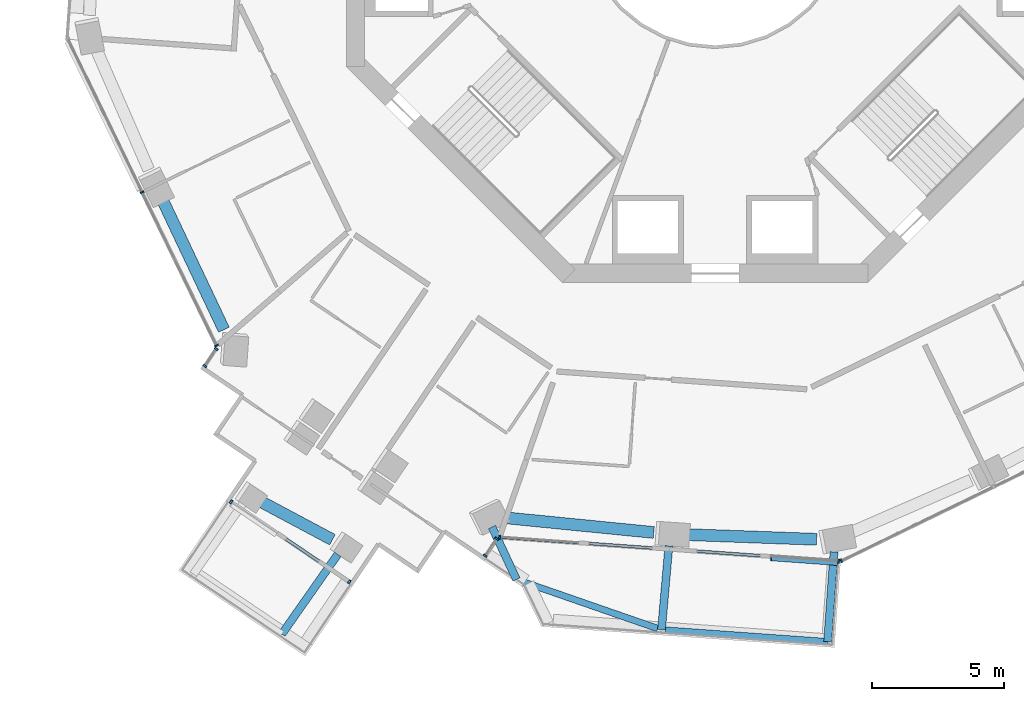
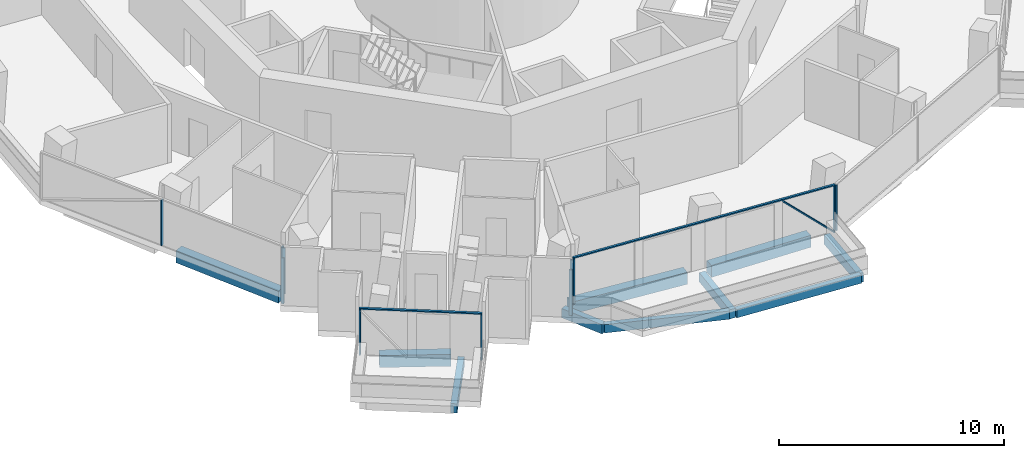
# One storey, part 2 of 22: 14 members, 10 beams, 6 elements without a shape of their own.
"""IFC4 building model written with IfcOpenShell, lengths in metres."""

from ifc_helpers import new_model, si_unit, direction, frame, origin, origin_2d, place, context, subcontext, project, spatial, rectangle, extrude, material, layer, layer_set, material_profile, profile_set, type_object, element, aggregate, save


model = new_model("IFC4")

# Units and contexts
model_context = context("Model", 3, precision=1e-05, world=origin(), true_north=direction((0.0, 1.0)))
body_context = subcontext(model_context, "Body", "Model", "MODEL_VIEW")
ifc_project = project(units=[si_unit("LENGTHUNIT", "METRE"), si_unit("AREAUNIT", "SQUARE_METRE"), si_unit("VOLUMEUNIT", "CUBIC_METRE"), si_unit("PLANEANGLEUNIT", "RADIAN"), si_unit("MASSUNIT", "GRAM", prefix="KILO")], contexts=[model_context])

# Site, building, storey
site_placement = place(None, origin())
site = spatial("IfcSite", under=ifc_project, at=site_placement, CompositionType="ELEMENT")
building_placement = place(site_placement, origin())
building = spatial("IfcBuilding", under=site, at=building_placement, Name="Verdalira Terraces Hotel", CompositionType="ELEMENT")
storey_placement = place(building_placement, frame((0.0, 0.0, 140.0)))
storey = spatial("IfcBuildingStorey", under=building, at=storey_placement, Name="L33", CompositionType="ELEMENT", Elevation=140.0)

# Beams
ifc_material_1 = material(Name="Concrete C40", Category="concrete")
ifc_material_profile_1 = material_profile(ifc_material_1, rectangle(XDim=0.300049, YDim=0.5, at=origin_2d()), Name="RC 300X500")
ifc_profile_set_1 = profile_set([ifc_material_profile_1], Name="Concrete C40")
beam_type_1 = type_object("IfcBeamType", Name="Balcony cantilever beam RC 300X500 C40", PredefinedType="BEAM", material=ifc_profile_set_1)
beam_1_placement = place(storey_placement, frame((-14.325928, -24.319824, -0.560059), z_axis=(-0.574159608, -0.818743393, 0.0), x_axis=(0.818743393, -0.574159608, 0.0)))
element("IfcBeam", 1, at=beam_1_placement, inside=storey, type_object=beam_type_1, Name="Balcony cantilever beam R19-2", PredefinedType="BEAM", context=body_context, shape_type="SweptSolid", body=[
    extrude(rectangle(XDim=0.300049, YDim=0.5, at=origin_2d()), origin(), (0.0, 0.0, 1.0), 3.688232),
])
beam_2_placement = place(storey_placement, frame((-8.467285, -23.277588, -0.560059), z_axis=(0.421894238, -0.906645053, 0.0), x_axis=(0.906645053, 0.421894238, 0.0)))
element("IfcBeam", 2, at=beam_2_placement, inside=storey, type_object=beam_type_1, Name="Balcony cantilever beam R24-1", PredefinedType="BEAM", context=body_context, shape_type="SweptSolid", body=[
    extrude(rectangle(XDim=0.300049, YDim=0.5, at=origin_2d()), origin(), (0.0, 0.0, 1.0), 2.198486),
])
beam_3_placement = place(storey_placement, frame((-1.75415, -23.993896, -0.560059), z_axis=(-0.087867098, -0.996132207, 0.0), x_axis=(0.996132207, -0.087867098, 0.0)))
element("IfcBeam", 3, at=beam_3_placement, inside=storey, type_object=beam_type_1, Name="Balcony cantilever beam R24-2", PredefinedType="BEAM", context=body_context, shape_type="SweptSolid", body=[
    extrude(rectangle(XDim=0.300049, YDim=0.5, at=origin_2d()), origin(), (0.0, 0.0, 1.0), 3.200928),
])
beam_4_placement = place(storey_placement, frame((4.514648, -24.223877, -0.560059), z_axis=(-0.071160734, -0.997464862, 0.0), x_axis=(0.997464862, -0.071160734, 0.0)))
element("IfcBeam", 4, at=beam_4_placement, inside=storey, type_object=beam_type_1, Name="Balcony cantilever beam R24-3", PredefinedType="BEAM", context=body_context, shape_type="SweptSolid", body=[
    extrude(rectangle(XDim=0.300049, YDim=0.5, at=origin_2d()), origin(), (0.0, 0.0, 1.0), 3.416992),
])
ifc_material_2 = material(Name="Concrete C40", Category="concrete")
ifc_material_profile_2 = material_profile(ifc_material_2, rectangle(XDim=0.25, YDim=0.449951, at=origin_2d()), Name="RC 250X450")
ifc_profile_set_2 = profile_set([ifc_material_profile_2], Name="Concrete C40")
beam_type_2 = type_object("IfcBeamType", Name="Balcony edge beam RC 250X450 C40", PredefinedType="BEAM", material=ifc_profile_set_2)
beam_5_placement = place(storey_placement, frame((-7.539795, -25.270752, -0.534912), z_axis=(0.944658104, -0.3280565, 0.0), x_axis=(0.3280565, 0.944658104, 0.0)))
element("IfcBeam", 5, at=beam_5_placement, inside=storey, type_object=beam_type_2, Name="Balcony edge beam R24-1", PredefinedType="BEAM", context=body_context, shape_type="SweptSolid", body=[
    extrude(rectangle(XDim=0.25, YDim=0.449951, at=origin_2d()), origin(), (0.0, 0.0, 1.0), 5.672363),
])
beam_6_placement = place(storey_placement, frame((-1.885742, -27.193115, -0.534912), z_axis=(0.997465521, -0.071151486, 0.0), x_axis=(0.071151486, 0.997465521, 0.0)))
element("IfcBeam", 6, at=beam_6_placement, inside=storey, type_object=beam_type_2, Name="Balcony edge beam R24-2", PredefinedType="BEAM", context=body_context, shape_type="SweptSolid", body=[
    extrude(rectangle(XDim=0.25, YDim=0.449951, at=origin_2d()), origin(), (0.0, 0.0, 1.0), 6.172852),
])

# Curtain wall, members
ifc_material_3 = material(Name="Clear glass", Category="glass")
ifc_layer_1 = layer(ifc_material_3, 0.14990234375)
ifc_layer_set_1 = layer_set([ifc_layer_1], Name="CW1 curtain wall")
curtain_wall_type_1 = type_object("IfcCurtainWallType", Name="CW1 curtain wall", PredefinedType="NOTDEFINED", material=ifc_layer_set_1)
curtain_wall_1_placement = place(storey_placement, origin())
curtain_wall_1 = element("IfcCurtainWall", 7, at=curtain_wall_1_placement, inside=storey, type_object=curtain_wall_type_1, Name="CW1 curtain wall L33 edge 13", PredefinedType="NOTDEFINED")
ifc_material_4 = material(Name="Terracotta frame", Category="masonry")
ifc_material_profile_3 = material_profile(ifc_material_4, rectangle(XDim=0.060059, YDim=0.149902, at=origin_2d()), Name="MU 60x150")
ifc_profile_set_3 = profile_set([ifc_material_profile_3], Name="Terracotta frame")
member_type_1 = type_object("IfcMemberType", Name="CW1 mullion 60x150", PredefinedType="MULLION", material=ifc_profile_set_3)
member_1_placement = place(storey_placement, frame((-21.750732, -10.570801, 0.0), z_axis=(0.0, 0.0, 1.0), x_axis=(0.437115767, -0.899405252, 0.0)))
member_1 = element("IfcMember", 8, at=member_1_placement, type_object=member_type_1, Name="CW1 mullion", PredefinedType="MULLION", context=body_context, shape_type="SweptSolid", body=[
    extrude(rectangle(XDim=0.060059, YDim=0.149902, at=origin_2d()), origin(), (0.0, 0.0, 1.0), 2.475098),
])
member_2_placement = place(storey_placement, frame((-18.922363, -16.390137, 0.0), z_axis=(0.0, 0.0, 1.0), x_axis=(0.437115767, -0.899405252, 0.0)))
member_2 = element("IfcMember", 9, at=member_2_placement, type_object=member_type_1, Name="CW1 mullion", PredefinedType="MULLION", context=body_context, shape_type="SweptSolid", body=[
    extrude(rectangle(XDim=0.060059, YDim=0.149902, at=origin_2d()), origin(), (0.0, 0.0, 1.0), 2.475098),
])
aggregate(curtain_wall_1, [member_1, member_2])

curtain_wall_2_placement = place(storey_placement, origin())
curtain_wall_2 = element("IfcCurtainWall", 10, at=curtain_wall_2_placement, inside=storey, type_object=curtain_wall_type_1, Name="CW1 curtain wall L33 edge 25", PredefinedType="NOTDEFINED")
member_3_placement = place(storey_placement, frame((-8.174316, -23.661621, 0.0), z_axis=(0.0, 0.0, 1.0), x_axis=(0.997465679, -0.071149267, 0.0)))
member_3 = element("IfcMember", 11, at=member_3_placement, type_object=member_type_1, Name="CW1 mullion", PredefinedType="MULLION", context=body_context, shape_type="SweptSolid", body=[
    extrude(rectangle(XDim=0.060059, YDim=0.149902, at=origin_2d()), origin(), (0.0, 0.0, 1.0), 2.475098),
])
member_4_placement = place(storey_placement, frame((4.692871, -24.57959, 0.0), z_axis=(0.0, 0.0, 1.0), x_axis=(0.997465679, -0.071149267, 0.0)))
member_4 = element("IfcMember", 12, at=member_4_placement, type_object=member_type_1, Name="CW1 mullion", PredefinedType="MULLION", context=body_context, shape_type="SweptSolid", body=[
    extrude(rectangle(XDim=0.060059, YDim=0.149902, at=origin_2d()), origin(), (0.0, 0.0, 1.0), 2.475098),
])

# Curtain wall, member
curtain_wall_3_placement = place(storey_placement, origin())
curtain_wall_3 = element("IfcCurtainWall", 13, at=curtain_wall_3_placement, inside=storey, type_object=curtain_wall_type_1, Name="CW1 curtain wall L33 edge 26", PredefinedType="NOTDEFINED")
member_5_placement = place(storey_placement, frame((4.787842, -24.561279, 0.0), z_axis=(0.0, 0.0, 1.0), x_axis=(0.899405252, 0.437115767, 0.0)))
member_5 = element("IfcMember", 14, at=member_5_placement, type_object=member_type_1, Name="CW1 mullion", PredefinedType="MULLION", context=body_context, shape_type="SweptSolid", body=[
    extrude(rectangle(XDim=0.060059, YDim=0.149902, at=origin_2d()), origin(), (0.0, 0.0, 1.0), 2.475098),
])
aggregate(curtain_wall_3, [member_5])

# Member
ifc_material_5 = material(Name="Terracotta frame", Category="masonry")
ifc_material_profile_4 = material_profile(ifc_material_5, rectangle(XDim=0.110107, YDim=0.064941, at=origin_2d()), Name="TR 65x110")
ifc_profile_set_4 = profile_set([ifc_material_profile_4], Name="Terracotta frame")
member_type_2 = type_object("IfcMemberType", Name="CW1 transom 65x110", PredefinedType="USERDEFINED", material=ifc_profile_set_4)
member_6_placement = place(storey_placement, frame((-8.204102, -23.659668, 2.507568), z_axis=(0.997466822, -0.071133255, 0.0), x_axis=(0.071133255, 0.997466822, 0.0)))
member_6 = element("IfcMember", 15, at=member_6_placement, type_object=member_type_2, Name="CW1 transom", ObjectType="TRANSOM", PredefinedType="USERDEFINED", context=body_context, shape_type="SweptSolid", body=[
    extrude(rectangle(XDim=0.110107, YDim=0.064941, at=origin_2d()), origin(), (0.0, 0.0, 1.0), 12.959717),
])

# Curtain wall, members
ifc_material_6 = material(Name="Clear glass", Category="glass")
ifc_layer_2 = layer(ifc_material_6, 0.14990234375)
ifc_layer_set_2 = layer_set([ifc_layer_2], Name="CW2 curtain wall")
curtain_wall_type_2 = type_object("IfcCurtainWallType", Name="CW2 curtain wall", PredefinedType="NOTDEFINED", material=ifc_layer_set_2)
curtain_wall_4_placement = place(storey_placement, origin())
curtain_wall_4 = element("IfcCurtainWall", 16, at=curtain_wall_4_placement, inside=storey, type_object=curtain_wall_type_2, Name="CW2 curtain wall L33 edge 14", PredefinedType="NOTDEFINED")
ifc_material_7 = material(Name="Terracotta frame", Category="masonry")
ifc_material_profile_5 = material_profile(ifc_material_7, rectangle(XDim=0.070068, YDim=0.149902, at=origin_2d()), Name="MU 70x150")
ifc_profile_set_5 = profile_set([ifc_material_profile_5], Name="Terracotta frame")
member_type_3 = type_object("IfcMemberType", Name="CW2 mullion 70x150", PredefinedType="MULLION", material=ifc_profile_set_5)
member_7_placement = place(storey_placement, frame((-18.934326, -16.520752, 0.0), z_axis=(0.0, 0.0, 1.0), x_axis=(-0.560349913, -0.828255984, 0.0)))
member_7 = element("IfcMember", 17, at=member_7_placement, type_object=member_type_3, Name="CW2 mullion", PredefinedType="MULLION", context=body_context, shape_type="SweptSolid", body=[
    extrude(rectangle(XDim=0.070068, YDim=0.149902, at=origin_2d()), origin(), (0.0, 0.0, 1.0), 2.475098),
])
member_8_placement = place(storey_placement, frame((-19.371338, -17.166992, 0.0), z_axis=(0.0, 0.0, 1.0), x_axis=(-0.560349913, -0.828255984, 0.0)))
member_8 = element("IfcMember", 18, at=member_8_placement, type_object=member_type_3, Name="CW2 mullion", PredefinedType="MULLION", context=body_context, shape_type="SweptSolid", body=[
    extrude(rectangle(XDim=0.070068, YDim=0.149902, at=origin_2d()), origin(), (0.0, 0.0, 1.0), 2.475098),
])
aggregate(curtain_wall_4, [member_7, member_8])

curtain_wall_5_placement = place(storey_placement, origin())
curtain_wall_5 = element("IfcCurtainWall", 19, at=curtain_wall_5_placement, inside=storey, type_object=curtain_wall_type_2, Name="CW2 curtain wall L33 edge 24", PredefinedType="NOTDEFINED")
member_9_placement = place(storey_placement, frame((-8.728271, -24.367432, 0.0), z_axis=(0.0, 0.0, 1.0), x_axis=(0.560349913, 0.828255984, 0.0)))
member_9 = element("IfcMember", 20, at=member_9_placement, type_object=member_type_3, Name="CW2 mullion", PredefinedType="MULLION", context=body_context, shape_type="SweptSolid", body=[
    extrude(rectangle(XDim=0.070068, YDim=0.149902, at=origin_2d()), origin(), (0.0, 0.0, 1.0), 2.475098),
])
member_10_placement = place(storey_placement, frame((-8.29126, -23.721436, 0.0), z_axis=(0.0, 0.0, 1.0), x_axis=(0.560349913, 0.828255984, 0.0)))
member_10 = element("IfcMember", 21, at=member_10_placement, type_object=member_type_3, Name="CW2 mullion", PredefinedType="MULLION", context=body_context, shape_type="SweptSolid", body=[
    extrude(rectangle(XDim=0.070068, YDim=0.149902, at=origin_2d()), origin(), (0.0, 0.0, 1.0), 2.475098),
])
aggregate(curtain_wall_5, [member_9, member_10])

ifc_material_8 = material(Name="Clear glass", Category="glass")
ifc_layer_3 = layer(ifc_material_8, 0.14990234375)
ifc_layer_set_3 = layer_set([ifc_layer_3], Name="CW3 curtain wall")
curtain_wall_type_3 = type_object("IfcCurtainWallType", Name="CW3 curtain wall", PredefinedType="NOTDEFINED", material=ifc_layer_set_3)
curtain_wall_6_placement = place(storey_placement, origin())
curtain_wall_6 = element("IfcCurtainWall", 22, at=curtain_wall_6_placement, inside=storey, type_object=curtain_wall_type_3, Name="CW3 curtain wall L33 edge 19", PredefinedType="NOTDEFINED")
ifc_material_9 = material(Name="Terracotta frame", Category="masonry")
ifc_material_profile_6 = material_profile(ifc_material_9, rectangle(XDim=0.080078, YDim=0.149902, at=origin_2d()), Name="MU 80x150")
ifc_profile_set_6 = profile_set([ifc_material_profile_6], Name="Terracotta frame")
member_type_4 = type_object("IfcMemberType", Name="CW3 mullion 80x150", PredefinedType="MULLION", material=ifc_profile_set_6)
member_11_placement = place(storey_placement, frame((-18.373291, -22.321533, 0.0), z_axis=(0.0, 0.0, 1.0), x_axis=(0.828255984, -0.560349913, 0.0)))
member_11 = element("IfcMember", 23, at=member_11_placement, type_object=member_type_4, Name="CW3 mullion", PredefinedType="MULLION", context=body_context, shape_type="SweptSolid", body=[
    extrude(rectangle(XDim=0.080078, YDim=0.149902, at=origin_2d()), origin(), (0.0, 0.0, 1.0), 2.475098),
])
member_12_placement = place(storey_placement, frame((-13.884277, -25.358398, 0.0), z_axis=(0.0, 0.0, 1.0), x_axis=(0.828255984, -0.560349913, 0.0)))
member_12 = element("IfcMember", 24, at=member_12_placement, type_object=member_type_4, Name="CW3 mullion", PredefinedType="MULLION", context=body_context, shape_type="SweptSolid", body=[
    extrude(rectangle(XDim=0.080078, YDim=0.149902, at=origin_2d()), origin(), (0.0, 0.0, 1.0), 2.475098),
])
ifc_material_10 = material(Name="Terracotta frame", Category="masonry")
ifc_material_profile_7 = material_profile(ifc_material_10, rectangle(XDim=0.120117, YDim=0.064941, at=origin_2d()), Name="TR 65x120")
ifc_profile_set_7 = profile_set([ifc_material_profile_7], Name="Terracotta frame")
member_type_5 = type_object("IfcMemberType", Name="CW3 transom 65x120", PredefinedType="USERDEFINED", material=ifc_profile_set_7)
member_13_placement = place(storey_placement, frame((-18.406494, -22.299072, 2.507568), z_axis=(0.828268265, -0.56033176, 0.0), x_axis=(0.56033176, 0.828268265, 0.0)))
member_13 = element("IfcMember", 25, at=member_13_placement, type_object=member_type_5, Name="CW3 transom", ObjectType="TRANSOM", PredefinedType="USERDEFINED", context=body_context, shape_type="SweptSolid", body=[
    extrude(rectangle(XDim=0.120117, YDim=0.064941, at=origin_2d()), origin(), (0.0, 0.0, 1.0), 5.5),
])
aggregate(curtain_wall_6, [member_11, member_12, member_13])

# Member
ifc_material_11 = material(Name="Terracotta frame", Category="masonry")
ifc_material_profile_8 = material_profile(ifc_material_11, rectangle(XDim=0.149902, YDim=0.060059, at=origin_2d()), Name="GB 60x150")
ifc_profile_set_8 = profile_set([ifc_material_profile_8], Name="Terracotta frame")
member_type_6 = type_object("IfcMemberType", Name="Diagonal glazing bar 60x150", PredefinedType="USERDEFINED", material=ifc_profile_set_8)
member_14_placement = place(storey_placement, frame((2.122559, -24.485352, 2.451904), z_axis=(0.717704492, -0.051234691, -0.694460415), x_axis=(0.071205685, 0.997461654, 0.0)))
member_14 = element("IfcMember", 26, at=member_14_placement, type_object=member_type_6, Name="Diagonal glazing bar", ObjectType="GLAZING BAR", PredefinedType="USERDEFINED", context=body_context, shape_type="SweptSolid", body=[
    extrude(rectangle(XDim=0.149902, YDim=0.060059, at=origin_2d()), origin(), (0.0, 0.0, 1.0), 3.497559),
])

aggregate(curtain_wall_2, [member_3, member_4, member_6, member_14])

# Beams
ifc_material_12 = material(Name="Concrete C50", Category="concrete")
ifc_material_profile_9 = material_profile(ifc_material_12, rectangle(XDim=0.449951, YDim=0.649902, at=origin_2d()), Name="RC 450X650")
ifc_profile_set_9 = profile_set([ifc_material_profile_9], Name="Concrete C50")
beam_type_3 = type_object("IfcBeamType", Name="Spandrel beam RC 450X650 C50", PredefinedType="SPANDREL", material=ifc_profile_set_9)
beam_7_placement = place(storey_placement, frame((-21.01709, -10.7771, -0.63501), z_axis=(0.427789173, -0.903878545, 0.0), x_axis=(0.903878545, 0.427789173, 0.0)))
element("IfcBeam", 27, at=beam_7_placement, inside=storey, type_object=beam_type_3, Name="Spandrel beam B07", PredefinedType="SPANDREL", context=body_context, shape_type="SweptSolid", body=[
    extrude(rectangle(XDim=0.449951, YDim=0.649902, at=origin_2d()), origin(), (0.0, 0.0, 1.0), 5.544922),
])
beam_8_placement = place(storey_placement, frame((-17.34375, -22.258301, -0.63501), z_axis=(0.882388925, -0.47052076, 0.0), x_axis=(0.47052076, 0.882388925, 0.0)))
element("IfcBeam", 28, at=beam_8_placement, inside=storey, type_object=beam_type_3, Name="Spandrel beam B08", PredefinedType="SPANDREL", context=body_context, shape_type="SweptSolid", body=[
    extrude(rectangle(XDim=0.449951, YDim=0.649902, at=origin_2d()), origin(), (0.0, 0.0, 1.0), 3.192627),
])
beam_9_placement = place(storey_placement, frame((-7.972168, -22.927246, -0.63501), z_axis=(0.995142326, -0.098446687, 0.0), x_axis=(0.098446687, 0.995142326, 0.0)))
element("IfcBeam", 29, at=beam_9_placement, inside=storey, type_object=beam_type_3, Name="Spandrel beam B09", PredefinedType="SPANDREL", context=body_context, shape_type="SweptSolid", body=[
    extrude(rectangle(XDim=0.449951, YDim=0.649902, at=origin_2d()), origin(), (0.0, 0.0, 1.0), 5.671631),
])
beam_10_placement = place(storey_placement, frame((-1.154053, -23.564209, -0.63501), z_axis=(0.9993537, -0.035946924, 0.0), x_axis=(0.035946924, 0.9993537, 0.0)))
element("IfcBeam", 30, at=beam_10_placement, inside=storey, type_object=beam_type_3, Name="Spandrel beam B10", PredefinedType="SPANDREL", context=body_context, shape_type="SweptSolid", body=[
    extrude(rectangle(XDim=0.449951, YDim=0.649902, at=origin_2d()), origin(), (0.0, 0.0, 1.0), 5.012207),
])

save(model, "model.ifc")
